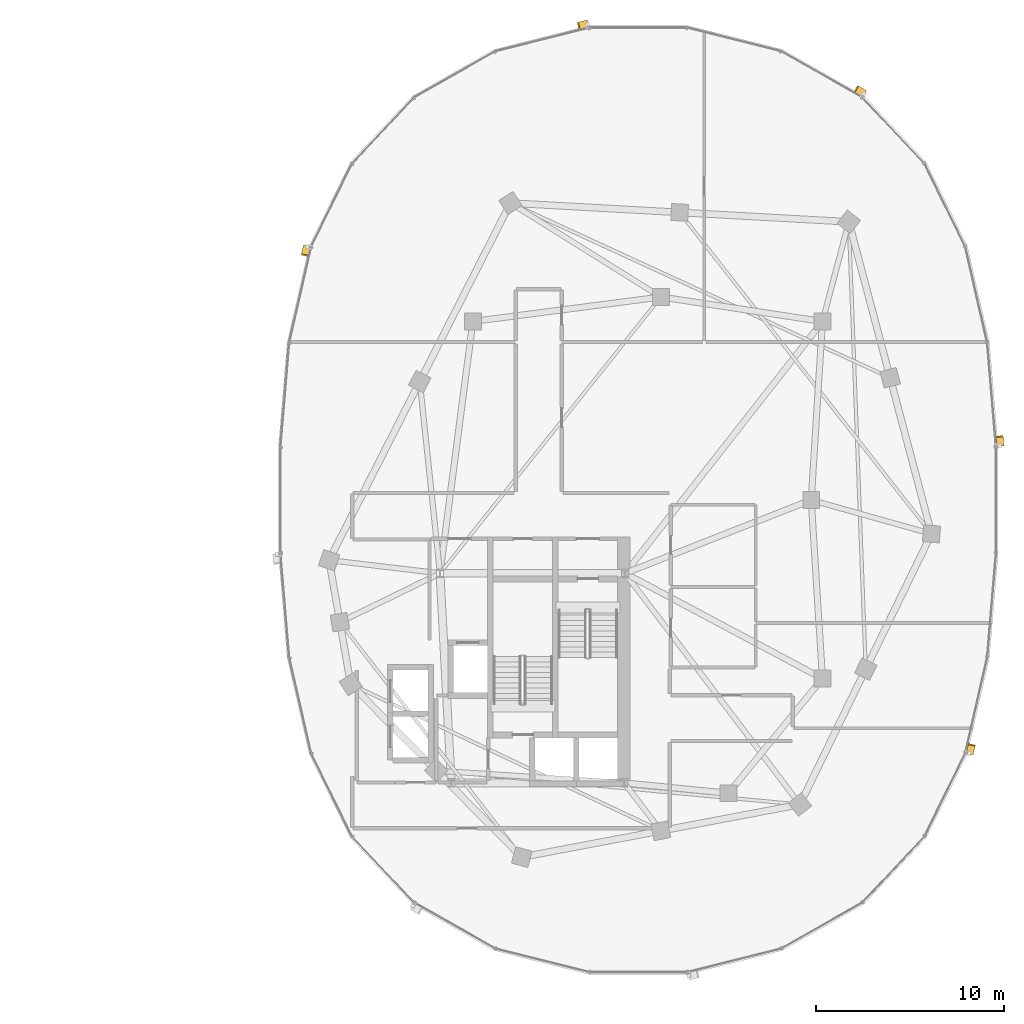
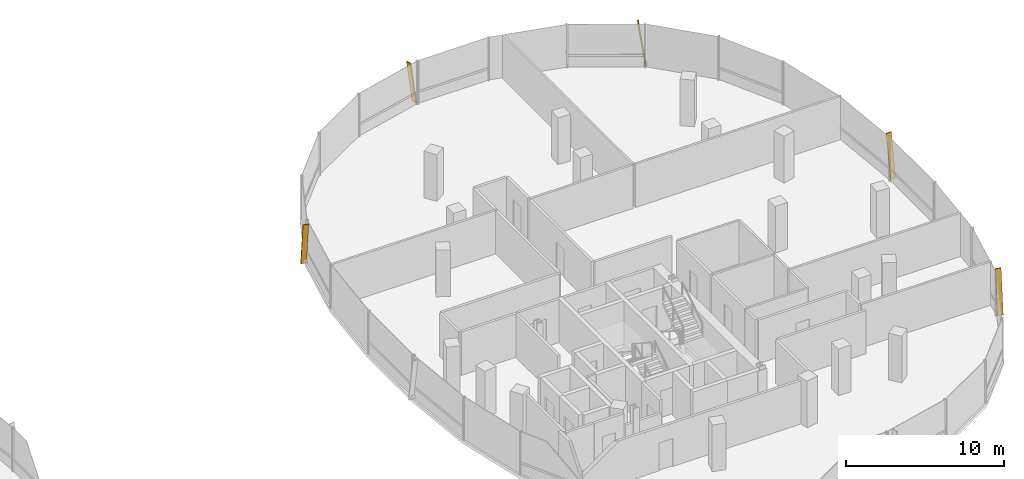
# One storey, part 25 of 25: 5 shading devices.
"""IFC4 building model written with IfcOpenShell, lengths in metres."""

from ifc_helpers import new_model, si_unit, direction, frame, origin, origin_2d, place, context, subcontext, project, spatial, rectangle, extrude, material, material_profile, profile_set, type_object, element, save


model = new_model("IFC4")

# Units and contexts
model_context = context("Model", 3, precision=1e-05, world=origin(), true_north=direction((0.0, 1.0)))
body_context = subcontext(model_context, "Body", "Model", "MODEL_VIEW")
ifc_project = project(units=[si_unit("LENGTHUNIT", "METRE"), si_unit("AREAUNIT", "SQUARE_METRE"), si_unit("VOLUMEUNIT", "CUBIC_METRE"), si_unit("PLANEANGLEUNIT", "RADIAN"), si_unit("MASSUNIT", "GRAM", prefix="KILO"), si_unit("THERMODYNAMICTEMPERATUREUNIT", "KELVIN"), si_unit("POWERUNIT", "WATT")], contexts=[model_context])

# Site, building, storey
site_placement = place(None, origin())
site = spatial("IfcSite", under=ifc_project, at=site_placement, CompositionType="ELEMENT")
building_placement = place(site_placement, origin())
building = spatial("IfcBuilding", under=site, at=building_placement, Name="Cundina Bronze Exchange", CompositionType="ELEMENT")
storey_placement = place(building_placement, frame((0.0, 0.0, 202.60009765625)))
storey = spatial("IfcBuildingStorey", under=building, at=storey_placement, Name="L53", CompositionType="ELEMENT", Elevation=202.60009765625)

# Shading devices
ifc_material = material(Name="Anodised Bronze Aluminium 6063-T6", Category="aluminium")
ifc_material_profile = material_profile(ifc_material, rectangle(XDim=0.070068359375, YDim=0.3798828125, at=origin_2d()), Name="FIN70X380", Category="aluminium")
ifc_profile_set = profile_set([ifc_material_profile], Name="Anodised Bronze Aluminium 6063-T6")
shading_device_type = type_object("IfcShadingDeviceType", Name="SHD-FIN-BRZ380", PredefinedType="USERDEFINED", material=ifc_profile_set)
for number, where, z_axis, x_axis, name in (
    (1, (51.264404296875, 2.90283203125, 0.02001953125), (-0.012007425696, 0.143430164259, 0.989587595774), (0.082555708425, -0.986138004904, 0.143931894628), "L53 Diagonal Bronze Solar Fin 1"),
    (2, (44.015625, 21.635498046875, 0.02001953125), (-0.125198584402, 0.071092295587, 0.989581325598), (0.86052566695, -0.48863767404, 0.143974997927), "L53 Diagonal Bronze Solar Fin 5"),
    (3, (29.294189453125, 25.344482421875, 0.02001953125), (-0.139622006633, -0.035143452115, 0.989581039146), (0.959648570899, 0.241547621411, 0.143976966779), "L53 Diagonal Bronze Solar Fin 1"),
    (4, (14.363037109375, 13.4931640625, 0.02001953125), (-0.032141567252, -0.140353950846, 0.989579551192), (0.220899074037, 0.964609396194, 0.143987193401), "L53 Diagonal Bronze Solar Fin 5"),
    (5, (49.636962890625, -13.4931640625, 0.02001953125), (0.032141567252, 0.140353950846, 0.989579551192), (-0.220899074037, -0.964609396194, 0.143987193401), "L53 Diagonal Bronze Solar Fin 5"),
):
    element("IfcShadingDevice", number, at=place(storey_placement, frame(where, z_axis=z_axis, x_axis=x_axis)), inside=storey, type_object=shading_device_type, Name=name, ObjectType="FIN", PredefinedType="USERDEFINED", context=body_context, shape_type="SweptSolid", body=[
        extrude(rectangle(XDim=0.070068359375, YDim=0.3798828125, at=origin_2d()), origin(), (0.0, 0.0, 1.0), 3.33447265625),
    ])

save(model, "model.ifc")
